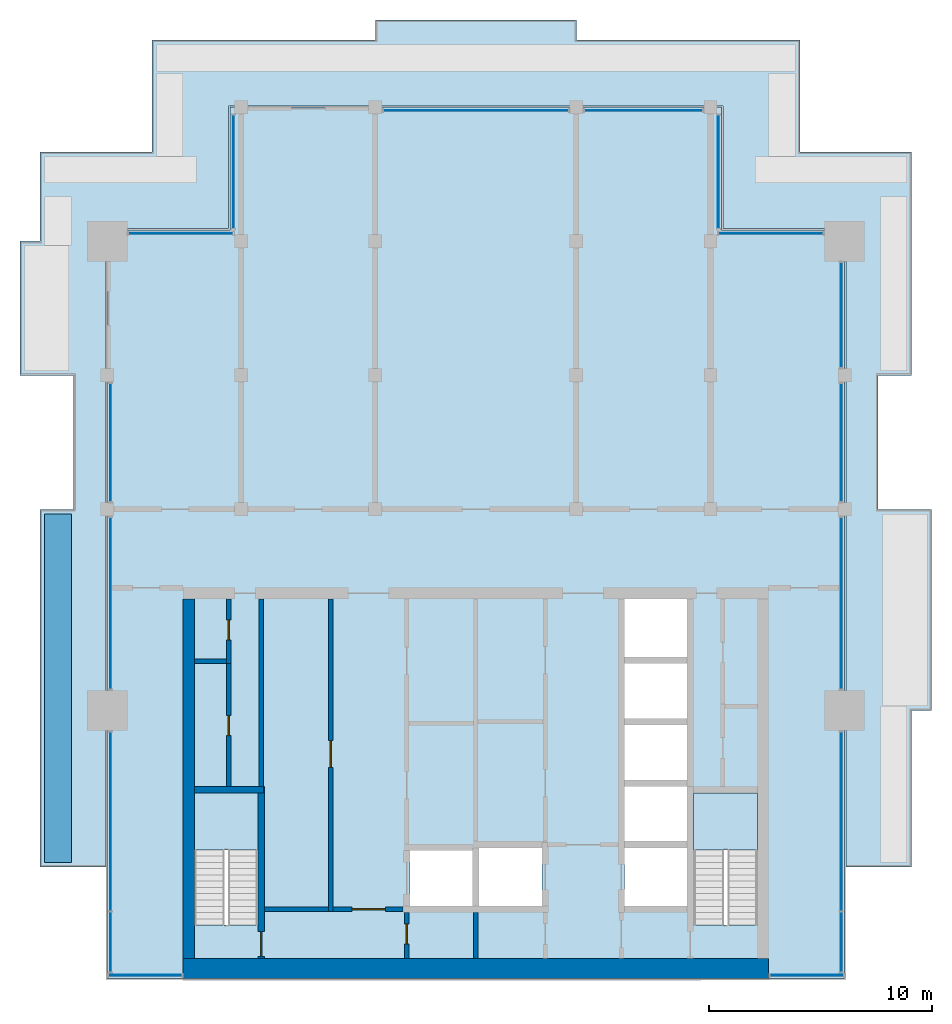
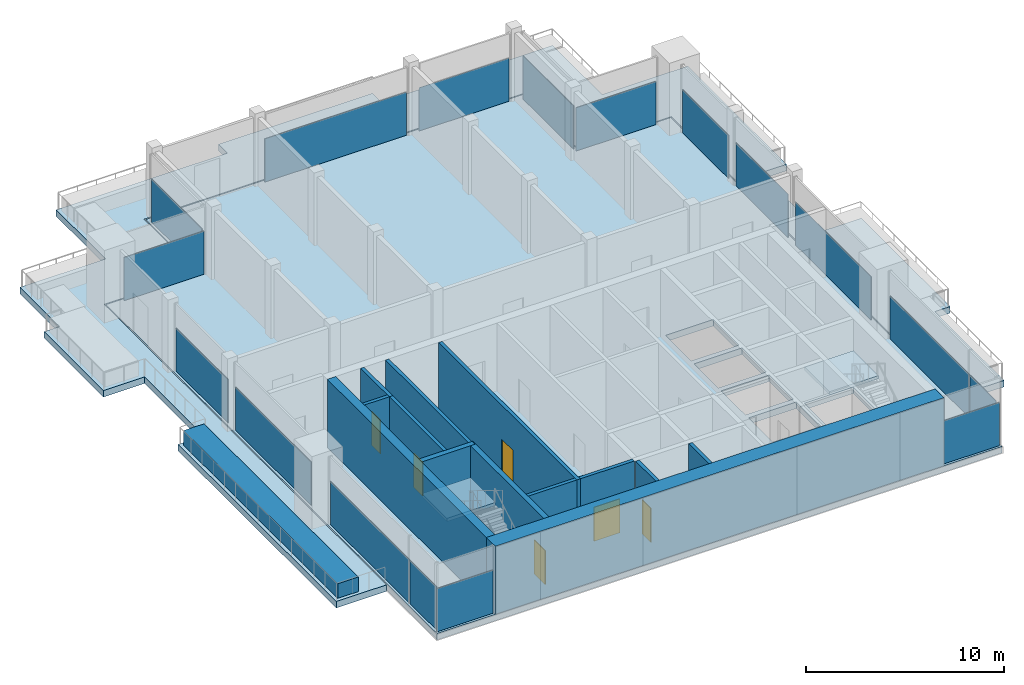
# One storey, part 5 of 9: 17 plates, 14 walls, 6 doors, 4 slabs, 6 openings, 17 elements without a shape of their own.
"""IFC4 building model written with IfcOpenShell, lengths in metres."""

from ifc_helpers import new_model, si_unit, direction, frame, frame_2d, origin, origin_2d, place, context, subcontext, project, spatial, polyline, rectangle, outline, extrude, material, layer, layer_set, type_object, element, fill, aggregate, save


model = new_model("IFC4")

# Units and contexts
model_context = context("Model", 3, precision=1e-05, world=origin(), true_north=direction((0.0, 1.0)))
body_context = subcontext(model_context, "Body", "Model", "MODEL_VIEW")
ifc_project = project(units=[si_unit("LENGTHUNIT", "METRE"), si_unit("AREAUNIT", "SQUARE_METRE"), si_unit("VOLUMEUNIT", "CUBIC_METRE"), si_unit("PLANEANGLEUNIT", "RADIAN"), si_unit("MASSUNIT", "GRAM", prefix="KILO")], contexts=[model_context])

# Site, building, storey
site_placement = place(None, origin())
site = spatial("IfcSite", under=ifc_project, at=site_placement, CompositionType="ELEMENT")
building_placement = place(site_placement, origin())
building = spatial("IfcBuilding", under=site, at=building_placement, Name="Finial Court Residences", CompositionType="ELEMENT")
storey_placement = place(building_placement, frame((0.0, 0.0, 298.699951171875)))
storey = spatial("IfcBuildingStorey", under=building, at=storey_placement, Name="L76", CompositionType="ELEMENT", Elevation=298.699951171875)

# Curtain wall, plate
ifc_material_1 = material(Name="Bronze anodised aluminium", Category="aluminium")
curtain_wall_type = type_object("IfcCurtainWallType", Name="Crown lantern glazing", PredefinedType="NOTDEFINED", material=ifc_material_1)
curtain_wall_1_placement = place(storey_placement, origin())
curtain_wall_1 = element("IfcCurtainWall", 1, at=curtain_wall_1_placement, inside=storey, type_object=curtain_wall_type, Name="E-L76-CW-N1c1", PredefinedType="NOTDEFINED")
ifc_material_2 = material(Name="Clear low-e glass", Category="glass")
ifc_layer_1 = layer(ifc_material_2, 0.031982421875)
ifc_layer_set_1 = layer_set([ifc_layer_1], Name="CW6 vision glass 32")
plate_type = type_object("IfcPlateType", Name="CW6 vision glass 32", PredefinedType="CURTAIN_PANEL", material=ifc_layer_set_1)
plate_1_placement = place(storey_placement, frame((0.0, 13.35009765625, 0.0), z_axis=(0.0, 0.0, 1.0), x_axis=(1.0, 0.0, 0.0)))
plate_1 = element("IfcPlate", 2, at=plate_1_placement, type_object=plate_type, Name="CW6 glass 1.1", PredefinedType="CURTAIN_PANEL", context=body_context, shape_type="SweptSolid", body=[
    extrude(rectangle(XDim=8.260009765625, YDim=0.031982421875, at=origin_2d()), origin(), (0.0, 0.0, 1.0), 2.6650390625),
])
aggregate(curtain_wall_1, [plate_1])

curtain_wall_2_placement = place(storey_placement, origin())
curtain_wall_2 = element("IfcCurtainWall", 3, at=curtain_wall_2_placement, inside=storey, type_object=curtain_wall_type, Name="E-L76-CW-N1c2", PredefinedType="NOTDEFINED")
plate_2_placement = place(storey_placement, frame((7.5, 13.35009765625, 0.0), z_axis=(0.0, 0.0, 1.0), x_axis=(1.0, 0.0, 0.0)))
plate_2 = element("IfcPlate", 4, at=plate_2_placement, type_object=plate_type, Name="CW6 glass 1.1", PredefinedType="CURTAIN_PANEL", context=body_context, shape_type="SweptSolid", body=[
    extrude(rectangle(XDim=5.260009765625, YDim=0.031982421875, at=origin_2d()), origin(), (0.0, 0.0, 1.0), 2.6650390625),
])
aggregate(curtain_wall_2, [plate_2])

# Curtain wall, plates
curtain_wall_3_placement = place(storey_placement, origin())
curtain_wall_3 = element("IfcCurtainWall", 5, at=curtain_wall_3_placement, inside=storey, type_object=curtain_wall_type, Name="E-L76-CW-E2c1", PredefinedType="NOTDEFINED")
plate_3_placement = place(storey_placement, frame((16.35009765625, -23.857421875, 0.0), z_axis=(0.0, 0.0, 1.0), x_axis=(0.0, 1.0, 0.0)))
plate_3 = element("IfcPlate", 6, at=plate_3_placement, type_object=plate_type, Name="CW6 glass 1.1", PredefinedType="CURTAIN_PANEL", context=body_context, shape_type="SweptSolid", body=[
    extrude(rectangle(XDim=2.64501953125, YDim=0.031982421875, at=origin_2d()), origin(), (0.0, 0.0, 1.0), 2.6650390625),
])
plate_4_placement = place(storey_placement, frame((16.35009765625, -18.467529296875, 0.0), z_axis=(0.0, 0.0, 1.0), x_axis=(0.0, 1.0, 0.0)))
plate_4 = element("IfcPlate", 7, at=plate_4_placement, type_object=plate_type, Name="CW6 glass 2.1", PredefinedType="CURTAIN_PANEL", context=body_context, shape_type="SweptSolid", body=[
    extrude(rectangle(XDim=7.9951171875, YDim=0.031982421875, at=origin_2d()), origin(), (0.0, 0.0, 1.0), 2.6650390625),
])
aggregate(curtain_wall_3, [plate_3, plate_4])

# Curtain wall, plate
curtain_wall_4_placement = place(storey_placement, origin())
curtain_wall_4 = element("IfcCurtainWall", 8, at=curtain_wall_4_placement, inside=storey, type_object=curtain_wall_type, Name="E-L76-CW-E2c2", PredefinedType="NOTDEFINED")
plate_5_placement = place(storey_placement, frame((16.35009765625, -8.699951171875, 0.0), z_axis=(0.0, 0.0, 1.0), x_axis=(0.0, 1.0, 0.0)))
plate_5 = element("IfcPlate", 9, at=plate_5_placement, type_object=plate_type, Name="CW6 glass 1.1", PredefinedType="CURTAIN_PANEL", context=body_context, shape_type="SweptSolid", body=[
    extrude(rectangle(XDim=7.659912109375, YDim=0.031982421875, at=origin_2d()), origin(), (0.0, 0.0, 1.0), 2.6650390625),
])
aggregate(curtain_wall_4, [plate_5])

curtain_wall_5_placement = place(storey_placement, origin())
curtain_wall_5 = element("IfcCurtainWall", 10, at=curtain_wall_5_placement, inside=storey, type_object=curtain_wall_type, Name="E-L76-CW-E2c3", PredefinedType="NOTDEFINED")
plate_6_placement = place(storey_placement, frame((16.35009765625, -1.5, 0.0), z_axis=(0.0, 0.0, 1.0), x_axis=(0.0, 1.0, 0.0)))
plate_6 = element("IfcPlate", 11, at=plate_6_placement, type_object=plate_type, Name="CW6 glass 1.1", PredefinedType="CURTAIN_PANEL", context=body_context, shape_type="SweptSolid", body=[
    extrude(rectangle(XDim=5.260009765625, YDim=0.031982421875, at=origin_2d()), origin(), (0.0, 0.0, 1.0), 2.6650390625),
])
aggregate(curtain_wall_5, [plate_6])

curtain_wall_6_placement = place(storey_placement, origin())
curtain_wall_6 = element("IfcCurtainWall", 12, at=curtain_wall_6_placement, inside=storey, type_object=curtain_wall_type, Name="E-L76-CW-E2c4", PredefinedType="NOTDEFINED")
plate_7_placement = place(storey_placement, frame((16.35009765625, 4.199951171875, 0.0), z_axis=(0.0, 0.0, 1.0), x_axis=(0.0, 1.0, 0.0)))
plate_7 = element("IfcPlate", 13, at=plate_7_placement, type_object=plate_type, Name="CW6 glass 1.1", PredefinedType="CURTAIN_PANEL", context=body_context, shape_type="SweptSolid", body=[
    extrude(rectangle(XDim=4.659912109375, YDim=0.031982421875, at=origin_2d()), origin(), (0.0, 0.0, 1.0), 2.6650390625),
])
aggregate(curtain_wall_6, [plate_7])

curtain_wall_7_placement = place(storey_placement, origin())
curtain_wall_7 = element("IfcCurtainWall", 14, at=curtain_wall_7_placement, inside=storey, type_object=curtain_wall_type, Name="E-L76-CW-S3", PredefinedType="NOTDEFINED")
plate_8_placement = place(storey_placement, frame((-14.800048828125, -25.35009765625, 0.0), z_axis=(0.0, 0.0, 1.0), x_axis=(1.0, 0.0, 0.0)))
plate_8 = element("IfcPlate", 15, at=plate_8_placement, type_object=plate_type, Name="CW6 glass 1.1", PredefinedType="CURTAIN_PANEL", context=body_context, shape_type="SweptSolid", body=[
    extrude(rectangle(XDim=3.260009765625, YDim=0.031982421875, at=origin_2d()), origin(), (0.0, 0.0, 1.0), 2.6650390625),
])
aggregate(curtain_wall_7, [plate_8])

curtain_wall_8_placement = place(storey_placement, origin())
curtain_wall_8 = element("IfcCurtainWall", 16, at=curtain_wall_8_placement, inside=storey, type_object=curtain_wall_type, Name="E-L76-CW-S4", PredefinedType="NOTDEFINED")
plate_9_placement = place(storey_placement, frame((14.800048828125, -25.35009765625, 0.0), z_axis=(0.0, 0.0, 1.0), x_axis=(1.0, 0.0, 0.0)))
plate_9 = element("IfcPlate", 17, at=plate_9_placement, type_object=plate_type, Name="CW6 glass 1.1", PredefinedType="CURTAIN_PANEL", context=body_context, shape_type="SweptSolid", body=[
    extrude(rectangle(XDim=3.260009765625, YDim=0.031982421875, at=origin_2d()), origin(), (0.0, 0.0, 1.0), 2.6650390625),
])
aggregate(curtain_wall_8, [plate_9])

# Curtain wall, plates
curtain_wall_9_placement = place(storey_placement, origin())
curtain_wall_9 = element("IfcCurtainWall", 18, at=curtain_wall_9_placement, inside=storey, type_object=curtain_wall_type, Name="E-L76-CW-W5c1", PredefinedType="NOTDEFINED")
plate_10_placement = place(storey_placement, frame((-16.35009765625, -23.857421875, 0.0), z_axis=(0.0, 0.0, 1.0), x_axis=(0.0, 1.0, 0.0)))
plate_10 = element("IfcPlate", 19, at=plate_10_placement, type_object=plate_type, Name="CW6 glass 1.1", PredefinedType="CURTAIN_PANEL", context=body_context, shape_type="SweptSolid", body=[
    extrude(rectangle(XDim=2.64501953125, YDim=0.031982421875, at=origin_2d()), origin(), (0.0, 0.0, 1.0), 2.6650390625),
])
plate_11_placement = place(storey_placement, frame((-16.35009765625, -18.467529296875, 0.0), z_axis=(0.0, 0.0, 1.0), x_axis=(0.0, 1.0, 0.0)))
plate_11 = element("IfcPlate", 20, at=plate_11_placement, type_object=plate_type, Name="CW6 glass 2.1", PredefinedType="CURTAIN_PANEL", context=body_context, shape_type="SweptSolid", body=[
    extrude(rectangle(XDim=7.9951171875, YDim=0.031982421875, at=origin_2d()), origin(), (0.0, 0.0, 1.0), 2.6650390625),
])
aggregate(curtain_wall_9, [plate_10, plate_11])

# Curtain wall, plate
curtain_wall_10_placement = place(storey_placement, origin())
curtain_wall_10 = element("IfcCurtainWall", 21, at=curtain_wall_10_placement, inside=storey, type_object=curtain_wall_type, Name="E-L76-CW-W5c2", PredefinedType="NOTDEFINED")
plate_12_placement = place(storey_placement, frame((-16.35009765625, -8.699951171875, 0.0), z_axis=(0.0, 0.0, 1.0), x_axis=(0.0, 1.0, 0.0)))
plate_12 = element("IfcPlate", 22, at=plate_12_placement, type_object=plate_type, Name="CW6 glass 1.1", PredefinedType="CURTAIN_PANEL", context=body_context, shape_type="SweptSolid", body=[
    extrude(rectangle(XDim=7.659912109375, YDim=0.031982421875, at=origin_2d()), origin(), (0.0, 0.0, 1.0), 2.6650390625),
])
aggregate(curtain_wall_10, [plate_12])

curtain_wall_11_placement = place(storey_placement, origin())
curtain_wall_11 = element("IfcCurtainWall", 23, at=curtain_wall_11_placement, inside=storey, type_object=curtain_wall_type, Name="E-L76-CW-W5c3", PredefinedType="NOTDEFINED")
plate_13_placement = place(storey_placement, frame((-16.35009765625, -1.5, 0.0), z_axis=(0.0, 0.0, 1.0), x_axis=(0.0, 1.0, 0.0)))
plate_13 = element("IfcPlate", 24, at=plate_13_placement, type_object=plate_type, Name="CW6 glass 1.1", PredefinedType="CURTAIN_PANEL", context=body_context, shape_type="SweptSolid", body=[
    extrude(rectangle(XDim=5.260009765625, YDim=0.031982421875, at=origin_2d()), origin(), (0.0, 0.0, 1.0), 2.6650390625),
])
aggregate(curtain_wall_11, [plate_13])

curtain_wall_12_placement = place(storey_placement, origin())
curtain_wall_12 = element("IfcCurtainWall", 25, at=curtain_wall_12_placement, inside=storey, type_object=curtain_wall_type, Name="E-L76-CW-W6nc1", PredefinedType="NOTDEFINED")
plate_14_placement = place(storey_placement, frame((-10.85009765625, 10.60009765625, 0.0), z_axis=(0.0, 0.0, 1.0), x_axis=(0.0, 1.0, 0.0)))
plate_14 = element("IfcPlate", 26, at=plate_14_placement, type_object=plate_type, Name="CW6 glass 1.1", PredefinedType="CURTAIN_PANEL", context=body_context, shape_type="SweptSolid", body=[
    extrude(rectangle(XDim=5.06005859375, YDim=0.031982421875, at=origin_2d()), origin(), (0.0, 0.0, 1.0), 2.6650390625),
])
aggregate(curtain_wall_12, [plate_14])

curtain_wall_13_placement = place(storey_placement, origin())
curtain_wall_13 = element("IfcCurtainWall", 27, at=curtain_wall_13_placement, inside=storey, type_object=curtain_wall_type, Name="E-L76-CW-N7nc1", PredefinedType="NOTDEFINED")
plate_15_placement = place(storey_placement, frame((-13.199951171875, 7.85009765625, 0.0), z_axis=(0.0, 0.0, 1.0), x_axis=(1.0, 0.0, 0.0)))
plate_15 = element("IfcPlate", 28, at=plate_15_placement, type_object=plate_type, Name="CW6 glass 1.1", PredefinedType="CURTAIN_PANEL", context=body_context, shape_type="SweptSolid", body=[
    extrude(rectangle(XDim=4.659912109375, YDim=0.031982421875, at=origin_2d()), origin(), (0.0, 0.0, 1.0), 2.6650390625),
])
aggregate(curtain_wall_13, [plate_15])

curtain_wall_14_placement = place(storey_placement, origin())
curtain_wall_14 = element("IfcCurtainWall", 29, at=curtain_wall_14_placement, inside=storey, type_object=curtain_wall_type, Name="E-L76-CW-E8nc1", PredefinedType="NOTDEFINED")
plate_16_placement = place(storey_placement, frame((10.85009765625, 10.60009765625, 0.0), z_axis=(0.0, 0.0, 1.0), x_axis=(0.0, 1.0, 0.0)))
plate_16 = element("IfcPlate", 30, at=plate_16_placement, type_object=plate_type, Name="CW6 glass 1.1", PredefinedType="CURTAIN_PANEL", context=body_context, shape_type="SweptSolid", body=[
    extrude(rectangle(XDim=5.06005859375, YDim=0.031982421875, at=origin_2d()), origin(), (0.0, 0.0, 1.0), 2.6650390625),
])
aggregate(curtain_wall_14, [plate_16])

curtain_wall_15_placement = place(storey_placement, origin())
curtain_wall_15 = element("IfcCurtainWall", 31, at=curtain_wall_15_placement, inside=storey, type_object=curtain_wall_type, Name="E-L76-CW-N9nc1", PredefinedType="NOTDEFINED")
plate_17_placement = place(storey_placement, frame((13.199951171875, 7.85009765625, 0.0), z_axis=(0.0, 0.0, 1.0), x_axis=(1.0, 0.0, 0.0)))
plate_17 = element("IfcPlate", 32, at=plate_17_placement, type_object=plate_type, Name="CW6 glass 1.1", PredefinedType="CURTAIN_PANEL", context=body_context, shape_type="SweptSolid", body=[
    extrude(rectangle(XDim=4.659912109375, YDim=0.031982421875, at=origin_2d()), origin(), (0.0, 0.0, 1.0), 2.6650390625),
])
aggregate(curtain_wall_15, [plate_17])

# Stair, slab
ifc_material_3 = material(Name="Concrete C50/60", Category="concrete")
stair_type = type_object("IfcStairType", Name="Exit stair 26 risers of 173.1 mm", PredefinedType="HALF_TURN_STAIR", material=ifc_material_3)
stair_1_placement = place(storey_placement, origin())
stair_1 = element("IfcStair", 33, at=stair_1_placement, inside=storey, type_object=stair_type, Name="L76 Exit stair ST-1", PredefinedType="HALF_TURN_STAIR")
ifc_layer_2 = layer(ifc_material_3, 0.199951171875)
ifc_layer_set_2 = layer_set([ifc_layer_2], Name="Exit stair landing")
slab_type_1 = type_object("IfcSlabType", Name="Exit stair landing", PredefinedType="LANDING", material=ifc_layer_set_2)
slab_1_placement = place(storey_placement, frame((0.0, 0.0, 2.050048828125)))
slab_1 = element("IfcSlab", 34, at=slab_1_placement, type_object=slab_type_1, Name="ST-1 landing 1", PredefinedType="LANDING", context=body_context, shape_type="SweptSolid", body=[
    extrude(outline(polyline([(-9.75, -19.739990234375), (-9.75, -17.199951171875), (-12.60009765625, -17.199951171875), (-12.60009765625, -19.739990234375), (-9.75, -19.739990234375)])), origin(), (0.0, 0.0, 1.0), 0.199951171875),
])
aggregate(stair_1, [slab_1])

stair_2_placement = place(storey_placement, origin())
stair_2 = element("IfcStair", 35, at=stair_2_placement, inside=storey, type_object=stair_type, Name="L76 Exit stair ST-2", PredefinedType="HALF_TURN_STAIR")
slab_2_placement = place(storey_placement, frame((0.0, 0.0, 2.050048828125)))
slab_2 = element("IfcSlab", 36, at=slab_2_placement, type_object=slab_type_1, Name="ST-2 landing 1", PredefinedType="LANDING", context=body_context, shape_type="SweptSolid", body=[
    extrude(outline(polyline([(12.60009765625, -19.739990234375), (12.60009765625, -17.199951171875), (9.75, -17.199951171875), (9.75, -19.739990234375), (12.60009765625, -19.739990234375)])), origin(), (0.0, 0.0, 1.0), 0.199951171875),
])
aggregate(stair_2, [slab_2])

# Slabs
ifc_material_4 = material(Name="Concrete C40/50", Category="concrete")
ifc_layer_3 = layer(ifc_material_4, 0.39990234375)
ifc_layer_set_3 = layer_set([ifc_layer_3], Name="Flat plate slab 400 Concrete C40/50")
slab_type_2 = type_object("IfcSlabType", Name="Flat plate slab 400 Concrete C40/50", PredefinedType="FLOOR", material=ifc_layer_set_3)
slab_3_placement = place(storey_placement, frame((0.0, 0.0, -0.39990234375)))
element("IfcSlab", 37, at=slab_3_placement, inside=storey, type_object=slab_type_2, Name="S:SLAB:L76", PredefinedType="FLOOR", context=body_context, shape_type="SweptSolid", body=[
    extrude(outline(polyline([(-16.5, -25.5), (-16.5, 8.0), (-11.0, 8.0), (-11.0, 13.5), (11.0, 13.5), (11.0, 8.0), (16.5, 8.0), (16.5, -25.5), (-16.5, -25.5)]), holes=[polyline([(-0.14990234375, -19.77001953125), (-2.949951171875, -19.77001953125), (-2.949951171875, -22.25), (-0.14990234375, -22.25), (-0.14990234375, -19.77001953125)]), polyline([(2.949951171875, -19.64990234375), (0.14990234375, -19.64990234375), (0.14990234375, -22.25), (2.949951171875, -22.25), (2.949951171875, -19.64990234375)]), polyline([(9.449951171875, -19.64990234375), (6.64990234375, -19.64990234375), (6.64990234375, -22.25), (9.449951171875, -22.25), (9.449951171875, -19.64990234375)]), polyline([(-12.60009765625, -17.199951171875), (-12.60009765625, -23.09912109375), (-9.75, -23.09912109375), (-9.75, -17.199951171875), (-12.60009765625, -17.199951171875)]), polyline([(9.75, -17.199951171875), (9.75, -23.09912109375), (12.60009765625, -23.09912109375), (12.60009765625, -17.199951171875), (9.75, -17.199951171875)]), polyline([(9.449951171875, -16.89990234375), (6.64990234375, -16.89990234375), (6.64990234375, -19.35009765625), (9.449951171875, -19.35009765625), (9.449951171875, -16.89990234375)]), polyline([(9.449951171875, -14.14990234375), (6.64990234375, -14.14990234375), (6.64990234375, -16.60009765625), (9.449951171875, -16.60009765625), (9.449951171875, -14.14990234375)]), polyline([(9.449951171875, -13.85009765625), (9.449951171875, -11.39990234375), (6.64990234375, -11.39990234375), (6.64990234375, -13.85009765625), (9.449951171875, -13.85009765625)]), polyline([(9.449951171875, -11.10009765625), (9.449951171875, -8.5), (6.64990234375, -8.5), (6.64990234375, -11.10009765625), (9.449951171875, -11.10009765625)])]), origin(), (0.0, 0.0, 1.0), 0.39990234375),
])
ifc_layer_4 = layer(ifc_material_4, 0.39990234375)
ifc_layer_set_4 = layer_set([ifc_layer_4], Name="Terrace slab, Concrete C40/50 400")
slab_type_3 = type_object("IfcSlabType", Name="Terrace slab, Concrete C40/50 400", PredefinedType="FLOOR", material=ifc_layer_set_4)
slab_4_placement = place(storey_placement, frame((0.0, 0.0, -0.39990234375)))
element("IfcSlab", 38, at=slab_4_placement, inside=storey, type_object=slab_type_3, Name="Terrace L76 1", PredefinedType="FLOOR", context=body_context, shape_type="SweptSolid", body=[
    extrude(outline(polyline([(16.56005859375, -20.5), (16.56005859375, 8.06005859375), (11.06005859375, 8.06005859375), (11.06005859375, 13.56005859375), (-11.06005859375, 13.56005859375), (-11.06005859375, 8.06005859375), (-16.56005859375, 8.06005859375), (-16.56005859375, -20.5), (-19.5, -20.5), (-19.5, -4.5), (-18.0, -4.5), (-18.0, 1.5), (-19.5, 1.5), (-20.39990234375, 1.5), (-20.39990234375, 7.5), (-19.5, 7.5), (-19.5, 11.5), (-14.5, 11.5), (-14.5, 16.5), (-4.5, 16.5), (-4.5, 17.39990234375), (4.5, 17.39990234375), (4.5, 16.5), (14.5, 16.5), (14.5, 11.5), (19.5, 11.5), (19.5, 1.5), (18.0, 1.5), (18.0, -4.5), (19.5, -4.5), (20.39990234375, -4.5), (20.39990234375, -13.5), (19.5, -13.5), (19.5, -20.5), (16.56005859375, -20.5)])), origin(), (0.0, 0.0, 1.0), 0.39990234375),
])

# Walls
ifc_layer_5 = layer(ifc_material_3, 0.5)
ifc_layer_set_5 = layer_set([ifc_layer_5], Name="Core outer wall 500 Concrete C50/60")
wall_type_1 = type_object("IfcWallType", Name="Core outer wall 500 Concrete C50/60", PredefinedType="SHEAR", material=ifc_layer_set_5)
wall_1_placement = place(storey_placement, frame((-12.85009765625, -24.60009765625, 0.0), z_axis=(0.0, 0.0, 1.0), x_axis=(0.0, 1.0, 0.0)))
element("IfcWall", 39, at=wall_1_placement, inside=storey, type_object=wall_type_1, Name="Core outer wall L76-03", PredefinedType="SHEAR", context=body_context, shape_type="SweptSolid", body=[
    extrude(rectangle(XDim=16.10009765625, YDim=0.5, at=frame_2d((8.050048828125, 0.0))), origin(), (0.0, 0.0, 1.0), 4.199951171875),
])
ifc_layer_6 = layer(ifc_material_3, 0.89990234375)
ifc_layer_set_6 = layer_set([ifc_layer_6], Name="Core south facade wall 900 Concrete C50/60")
wall_type_2 = type_object("IfcWallType", Name="Core south facade wall 900 Concrete C50/60", PredefinedType="SHEAR", material=ifc_layer_set_6)
wall_2_placement = place(storey_placement, frame((-13.10009765625, -25.050048828125, 0.0), z_axis=(0.0, 0.0, 1.0), x_axis=(1.0, 0.0, 0.0)))
element("IfcWall", 40, at=wall_2_placement, inside=storey, type_object=wall_type_2, Name="Core outer wall L76-01", PredefinedType="SHEAR", context=body_context, shape_type="SweptSolid", body=[
    extrude(rectangle(XDim=26.2001953125, YDim=0.89990234375, at=frame_2d((13.10009765625, 0.0))), origin(), (0.0, 0.0, 1.0), 4.199951171875),
])
ifc_layer_7 = layer(ifc_material_3, 0.300048828125)
ifc_layer_set_7 = layer_set([ifc_layer_7], Name="Lift shaft and stair wall 300 Concrete C50/60")
wall_type_3 = type_object("IfcWallType", Name="Lift shaft and stair wall 300 Concrete C50/60", PredefinedType="SHEAR", material=ifc_layer_set_7)
wall_3_placement = place(storey_placement, frame((-12.60009765625, -17.050048828125, 0.0), z_axis=(0.0, 0.0, 1.0), x_axis=(1.0, 0.0, 0.0)))
element("IfcWall", 41, at=wall_3_placement, inside=storey, type_object=wall_type_3, Name="Core wall L76-09", PredefinedType="SHEAR", context=body_context, shape_type="SweptSolid", body=[
    extrude(rectangle(XDim=3.10009765625, YDim=0.300048828125, at=frame_2d((1.550048828125, 0.0))), origin(), (0.0, 0.0, 1.0), 4.199951171875),
])

# Wall, opening, door
wall_4_placement = place(storey_placement, frame((-9.60009765625, -24.60009765625, 0.0), z_axis=(0.0, 0.0, 1.0), x_axis=(0.0, 1.0, 0.0)))
wall_4 = element("IfcWall", 42, at=wall_4_placement, inside=storey, type_object=wall_type_3, Name="Core wall L76-20", PredefinedType="SHEAR", context=body_context, shape_type="SweptSolid", body=[
    extrude(rectangle(XDim=7.7001953125, YDim=0.300048828125, at=frame_2d((3.85009765625, 0.0))), origin(), (0.0, 0.0, 1.0), 4.199951171875),
])
opening_1_placement = place(wall_4_placement, frame((0.10009765625, 0.0, 0.0)))
opening_1 = element("IfcOpeningElement", 43, at=opening_1_placement, cuts=wall_4, Name="Opening L76-C19", PredefinedType="OPENING", context=body_context, shape_type="SweptSolid", body=[
    extrude(rectangle(XDim=1.10009765625, YDim=2.10009765625, at=frame_2d((0.550048828125, 1.050048828125))), frame((0.0, 0.159912109375, 0.0), z_axis=(0.0, -1.0, 0.0), x_axis=(1.0, 0.0, 0.0)), (0.0, 0.0, 1.0), 0.320068359375),
])
ifc_material_5 = material(Name="Steel fire door", Category="steel")
door_type_1 = type_object("IfcDoorType", Name="Stair door 1100 x 2100 EI 90", OperationType="NOTDEFINED", PredefinedType="DOOR", material=ifc_material_5)
door_1_placement = place(opening_1_placement, origin())
door_1 = element("IfcDoor", 44, at=door_1_placement, inside=storey, type_object=door_type_1, Name="Stair door L76-C19", OperationType="SINGLE_SWING_LEFT", OverallHeight=2.10009765625, OverallWidth=1.10009765625, PredefinedType="DOOR", context=body_context, shape_type="SweptSolid", body=[
    extrude(rectangle(XDim=1.10009765625, YDim=2.10009765625, at=frame_2d((0.550048828125, 1.050048828125))), frame((0.0, 0.02490234375, 0.0), z_axis=(0.0, -1.0, 0.0), x_axis=(1.0, 0.0, 0.0)), (0.0, 0.0, 1.0), 0.050048828125),
])
fill(opening_1, door_1)

# Walls
ifc_layer_8 = layer(ifc_material_4, 0.199951171875)
ifc_material_6 = material(Name="Planting soil", Category="soil")
ifc_layer_9 = layer(ifc_material_6, 0.800048828125)
ifc_layer_10 = layer(ifc_material_4, 0.199951171875)
ifc_layer_set_8 = layer_set([ifc_layer_8, ifc_layer_9, ifc_layer_10], Name="Planter wall, terrace 1200")
wall_type_4 = type_object("IfcWallType", Name="Planter wall, terrace 1200", PredefinedType="USERDEFINED", material=ifc_layer_set_8)
wall_5_placement = place(storey_placement, frame((-18.699951171875, -20.300048828125, 0.0), z_axis=(0.0, 0.0, 1.0), x_axis=(0.0, 1.0, 0.0)))
element("IfcWall", 45, at=wall_5_placement, inside=storey, type_object=wall_type_4, Name="E-L76-TER1-PL2", ObjectType="PLANTER", PredefinedType="USERDEFINED", context=body_context, shape_type="SweptSolid", body=[
    extrude(rectangle(XDim=15.60009765625, YDim=1.199951171875, at=frame_2d((7.800048828125, 0.0))), origin(), (0.0, 0.0, 1.0), 0.900146484375),
])
ifc_material_7 = material(Name="Fire-rated gypsum board partition")
ifc_layer_11 = layer(ifc_material_7, 0.199951171875)
ifc_layer_set_9 = layer_set([ifc_layer_11], Name="Riser room wall 200 EI 120")
wall_type_5 = type_object("IfcWallType", Name="Riser room wall 200 EI 120", PredefinedType="PARTITIONING", material=ifc_layer_set_9)
wall_6_placement = place(storey_placement, frame((-9.449951171875, -22.39990234375, 0.0), z_axis=(0.0, 0.0, 1.0), x_axis=(1.0, 0.0, 0.0)))
element("IfcWall", 46, at=wall_6_placement, inside=storey, type_object=wall_type_5, Name="Core partition L76-01", PredefinedType="PARTITIONING", context=body_context, shape_type="SweptSolid", body=[
    extrude(rectangle(XDim=2.849853515625, YDim=0.199951171875, at=frame_2d((1.4248046875, 0.0))), origin(), (0.0, 0.0, 1.0), 4.199951171875),
])
wall_7_placement = place(storey_placement, frame((-12.60009765625, -11.300048828125, 0.0), z_axis=(0.0, 0.0, 1.0), x_axis=(1.0, 0.0, 0.0)))
element("IfcWall", 47, at=wall_7_placement, inside=storey, type_object=wall_type_5, Name="Core partition L76-16", PredefinedType="PARTITIONING", context=body_context, shape_type="SweptSolid", body=[
    extrude(rectangle(XDim=1.4501953125, YDim=0.199951171875, at=frame_2d((0.72509765625, 0.0))), origin(), (0.0, 0.0, 1.0), 4.199951171875),
])

# Wall, opening, door
wall_8_placement = place(storey_placement, frame((-11.050048828125, -11.39990234375, 0.0), z_axis=(0.0, 0.0, 1.0), x_axis=(0.0, 1.0, 0.0)))
wall_8 = element("IfcWall", 48, at=wall_8_placement, inside=storey, type_object=wall_type_5, Name="Core partition L76-19", PredefinedType="PARTITIONING", context=body_context, shape_type="SweptSolid", body=[
    extrude(rectangle(XDim=2.89990234375, YDim=0.199951171875, at=frame_2d((1.449951171875, 0.0))), origin(), (0.0, 0.0, 1.0), 4.199951171875),
])
opening_2_placement = place(wall_8_placement, frame((1.050048828125, 0.0, 0.0)))
opening_2 = element("IfcOpeningElement", 49, at=opening_2_placement, cuts=wall_8, Name="Opening L76-C06", PredefinedType="OPENING", context=body_context, shape_type="SweptSolid", body=[
    extrude(rectangle(XDim=0.89990234375, YDim=2.10009765625, at=frame_2d((0.449951171875, 1.050048828125))), frame((0.0, 0.10986328125, 0.0), z_axis=(0.0, -1.0, 0.0), x_axis=(1.0, 0.0, 0.0)), (0.0, 0.0, 1.0), 0.219970703125),
])
door_type_2 = type_object("IfcDoorType", Name="Riser room door 900 x 2100 EI 90", OperationType="NOTDEFINED", PredefinedType="DOOR", material=ifc_material_5)
door_2_placement = place(opening_2_placement, origin())
door_2 = element("IfcDoor", 50, at=door_2_placement, inside=storey, type_object=door_type_2, Name="Riser room door L76-C06", OperationType="SINGLE_SWING_LEFT", OverallHeight=2.10009765625, OverallWidth=0.89990234375, PredefinedType="DOOR", context=body_context, shape_type="SweptSolid", body=[
    extrude(rectangle(XDim=0.89990234375, YDim=2.10009765625, at=frame_2d((0.449951171875, 1.050048828125))), frame((0.0, 0.02490234375, 0.0), z_axis=(0.0, -1.0, 0.0), x_axis=(1.0, 0.0, 0.0)), (0.0, 0.0, 1.0), 0.050048828125),
])
fill(opening_2, door_2)

# Wall
wall_9_placement = place(storey_placement, frame((-9.60009765625, -16.89990234375, 0.0), z_axis=(0.0, 0.0, 1.0), x_axis=(0.0, 1.0, 0.0)))
element("IfcWall", 51, at=wall_9_placement, inside=storey, type_object=wall_type_5, Name="Core partition L76-21", PredefinedType="PARTITIONING", context=body_context, shape_type="SweptSolid", body=[
    extrude(rectangle(XDim=8.39990234375, YDim=0.199951171875, at=frame_2d((4.199951171875, 0.0))), origin(), (0.0, 0.0, 1.0), 4.199951171875),
])

# Wall, opening, door
wall_10_placement = place(storey_placement, frame((-6.5, -22.5, 0.0), z_axis=(0.0, 0.0, 1.0), x_axis=(0.0, 1.0, 0.0)))
wall_10 = element("IfcWall", 52, at=wall_10_placement, inside=storey, type_object=wall_type_5, Name="Core partition L76-22", PredefinedType="PARTITIONING", context=body_context, shape_type="SweptSolid", body=[
    extrude(rectangle(XDim=14.0, YDim=0.199951171875, at=frame_2d((7.0, 0.0))), origin(), (0.0, 0.0, 1.0), 4.199951171875),
])
opening_3_placement = place(wall_10_placement, frame((6.449951171875, 0.0, 0.0)))
opening_3 = element("IfcOpeningElement", 53, at=opening_3_placement, cuts=wall_10, Name="Opening L76-C08", PredefinedType="OPENING", context=body_context, shape_type="SweptSolid", body=[
    extrude(rectangle(XDim=1.199951171875, YDim=2.10009765625, at=frame_2d((0.60009765625, 1.050048828125))), frame((0.0, 0.10986328125, 0.0), z_axis=(0.0, -1.0, 0.0), x_axis=(1.0, 0.0, 0.0)), (0.0, 0.0, 1.0), 0.219970703125),
])
door_type_3 = type_object("IfcDoorType", Name="Riser room door 1200 x 2100 EI 90", OperationType="NOTDEFINED", PredefinedType="DOOR", material=ifc_material_5)
door_3_placement = place(opening_3_placement, origin())
door_3 = element("IfcDoor", 54, at=door_3_placement, inside=storey, type_object=door_type_3, Name="Riser room door L76-C08", OperationType="SINGLE_SWING_LEFT", OverallHeight=2.10009765625, OverallWidth=1.199951171875, PredefinedType="DOOR", context=body_context, shape_type="SweptSolid", body=[
    extrude(rectangle(XDim=1.199951171875, YDim=2.10009765625, at=frame_2d((0.60009765625, 1.050048828125))), frame((0.0, 0.02490234375, 0.0), z_axis=(0.0, -1.0, 0.0), x_axis=(1.0, 0.0, 0.0)), (0.0, 0.0, 1.0), 0.050048828125),
])
fill(opening_3, door_3)

# Wall
wall_11_placement = place(storey_placement, frame((0.0, -24.60009765625, 0.0), z_axis=(0.0, 0.0, 1.0), x_axis=(0.0, 1.0, 0.0)))
element("IfcWall", 55, at=wall_11_placement, inside=storey, type_object=wall_type_5, Name="Core partition L76-26", PredefinedType="PARTITIONING", context=body_context, shape_type="SweptSolid", body=[
    extrude(rectangle(XDim=2.050048828125, YDim=0.199951171875, at=frame_2d((1.02490234375, 0.0))), origin(), (0.0, 0.0, 1.0), 4.199951171875),
])

# Wall, opening, door
ifc_layer_12 = layer(ifc_material_7, 0.199951171875)
ifc_layer_set_10 = layer_set([ifc_layer_12], Name="Stair passage wall 200 EI 180")
wall_type_6 = type_object("IfcWallType", Name="Stair passage wall 200 EI 180", PredefinedType="PARTITIONING", material=ifc_layer_set_10)
wall_12_placement = place(storey_placement, frame((-3.25, -22.39990234375, 0.0), z_axis=(0.0, 0.0, 1.0), x_axis=(-1.0, 0.0, 0.0)))
wall_12 = element("IfcWall", 56, at=wall_12_placement, inside=storey, type_object=wall_type_6, Name="Core partition L76-02", PredefinedType="PARTITIONING", context=body_context, shape_type="SweptSolid", body=[
    extrude(rectangle(XDim=3.14990234375, YDim=0.199951171875, at=frame_2d((1.574951171875, 0.0))), origin(), (0.0, 0.0, 1.0), 4.199951171875),
])
opening_4_placement = place(wall_12_placement, frame((0.800048828125, 0.0, 0.0)))
opening_4 = element("IfcOpeningElement", 57, at=opening_4_placement, cuts=wall_12, Name="Opening L76-C05", PredefinedType="OPENING", context=body_context, shape_type="SweptSolid", body=[
    extrude(rectangle(XDim=1.5, YDim=2.10009765625, at=frame_2d((0.75, 1.050048828125))), frame((0.0, 0.10986328125, 0.0), z_axis=(0.0, -1.0, 0.0), x_axis=(1.0, 0.0, 0.0)), (0.0, 0.0, 1.0), 0.219970703125),
])
door_type_4 = type_object("IfcDoorType", Name="Lift lobby door 1500 x 2100 EI 60", OperationType="DOUBLE_DOOR_SINGLE_SWING", PredefinedType="DOOR", material=ifc_material_5)
door_4_placement = place(opening_4_placement, origin())
door_4 = element("IfcDoor", 58, at=door_4_placement, inside=storey, type_object=door_type_4, Name="Lift lobby door L76-C05", OperationType="DOUBLE_DOOR_SINGLE_SWING", OverallHeight=2.10009765625, OverallWidth=1.5, PredefinedType="DOOR", context=body_context, shape_type="SweptSolid", body=[
    extrude(rectangle(XDim=1.5, YDim=2.10009765625, at=frame_2d((0.75, 1.050048828125))), frame((0.0, 0.02490234375, 0.0), z_axis=(0.0, -1.0, 0.0), x_axis=(1.0, 0.0, 0.0)), (0.0, 0.0, 1.0), 0.050048828125),
])
fill(opening_4, door_4)

wall_13_placement = place(storey_placement, frame((-11.050048828125, -16.89990234375, 0.0), z_axis=(0.0, 0.0, 1.0), x_axis=(0.0, 1.0, 0.0)))
wall_13 = element("IfcWall", 59, at=wall_13_placement, inside=storey, type_object=wall_type_6, Name="Core partition L76-18", PredefinedType="PARTITIONING", context=body_context, shape_type="SweptSolid", body=[
    extrude(rectangle(XDim=5.699951171875, YDim=0.199951171875, at=frame_2d((2.85009765625, 0.0))), origin(), (0.0, 0.0, 1.0), 4.199951171875),
])
opening_5_placement = place(wall_13_placement, frame((2.27490234375, 0.0, 0.0)))
opening_5 = element("IfcOpeningElement", 60, at=opening_5_placement, cuts=wall_13, Name="Opening L76-C17", PredefinedType="OPENING", context=body_context, shape_type="SweptSolid", body=[
    extrude(rectangle(XDim=0.89990234375, YDim=2.10009765625, at=frame_2d((0.449951171875, 1.050048828125))), frame((0.0, 0.10986328125, 0.0), z_axis=(0.0, -1.0, 0.0), x_axis=(1.0, 0.0, 0.0)), (0.0, 0.0, 1.0), 0.219970703125),
])
door_type_5 = type_object("IfcDoorType", Name="Core room door 900 x 2100 EI 60", OperationType="NOTDEFINED", PredefinedType="DOOR", material=ifc_material_5)
door_5_placement = place(opening_5_placement, origin())
door_5 = element("IfcDoor", 61, at=door_5_placement, inside=storey, type_object=door_type_5, Name="Core room door L76-C17", OperationType="SINGLE_SWING_LEFT", OverallHeight=2.10009765625, OverallWidth=0.89990234375, PredefinedType="DOOR", context=body_context, shape_type="SweptSolid", body=[
    extrude(rectangle(XDim=0.89990234375, YDim=2.10009765625, at=frame_2d((0.449951171875, 1.050048828125))), frame((0.0, 0.02490234375, 0.0), z_axis=(0.0, -1.0, 0.0), x_axis=(1.0, 0.0, 0.0)), (0.0, 0.0, 1.0), 0.050048828125),
])
fill(opening_5, door_5)

wall_14_placement = place(storey_placement, frame((-3.10009765625, -22.550048828125, 0.0), z_axis=(0.0, 0.0, 1.0), x_axis=(0.0, -1.0, 0.0)))
wall_14 = element("IfcWall", 62, at=wall_14_placement, inside=storey, type_object=wall_type_6, Name="Core partition L76-23", PredefinedType="PARTITIONING", context=body_context, shape_type="SweptSolid", body=[
    extrude(rectangle(XDim=2.050048828125, YDim=0.199951171875, at=frame_2d((1.02490234375, 0.0))), origin(), (0.0, 0.0, 1.0), 4.199951171875),
])
opening_6_placement = place(wall_14_placement, frame((0.5, 0.0, 0.0)))
opening_6 = element("IfcOpeningElement", 63, at=opening_6_placement, cuts=wall_14, Name="Opening L76-C16", PredefinedType="OPENING", context=body_context, shape_type="SweptSolid", body=[
    extrude(rectangle(XDim=0.89990234375, YDim=2.10009765625, at=frame_2d((0.449951171875, 1.050048828125))), frame((0.0, 0.10986328125, 0.0), z_axis=(0.0, -1.0, 0.0), x_axis=(1.0, 0.0, 0.0)), (0.0, 0.0, 1.0), 0.219970703125),
])
door_6_placement = place(opening_6_placement, origin())
door_6 = element("IfcDoor", 64, at=door_6_placement, inside=storey, type_object=door_type_5, Name="Core room door L76-C16", OperationType="SINGLE_SWING_RIGHT", OverallHeight=2.10009765625, OverallWidth=0.89990234375, PredefinedType="DOOR", context=body_context, shape_type="SweptSolid", body=[
    extrude(rectangle(XDim=0.89990234375, YDim=2.10009765625, at=frame_2d((0.449951171875, 1.050048828125))), frame((0.0, 0.02490234375, 0.0), z_axis=(0.0, -1.0, 0.0), x_axis=(1.0, 0.0, 0.0)), (0.0, 0.0, 1.0), 0.050048828125),
])
fill(opening_6, door_6)

save(model, "model.ifc")
